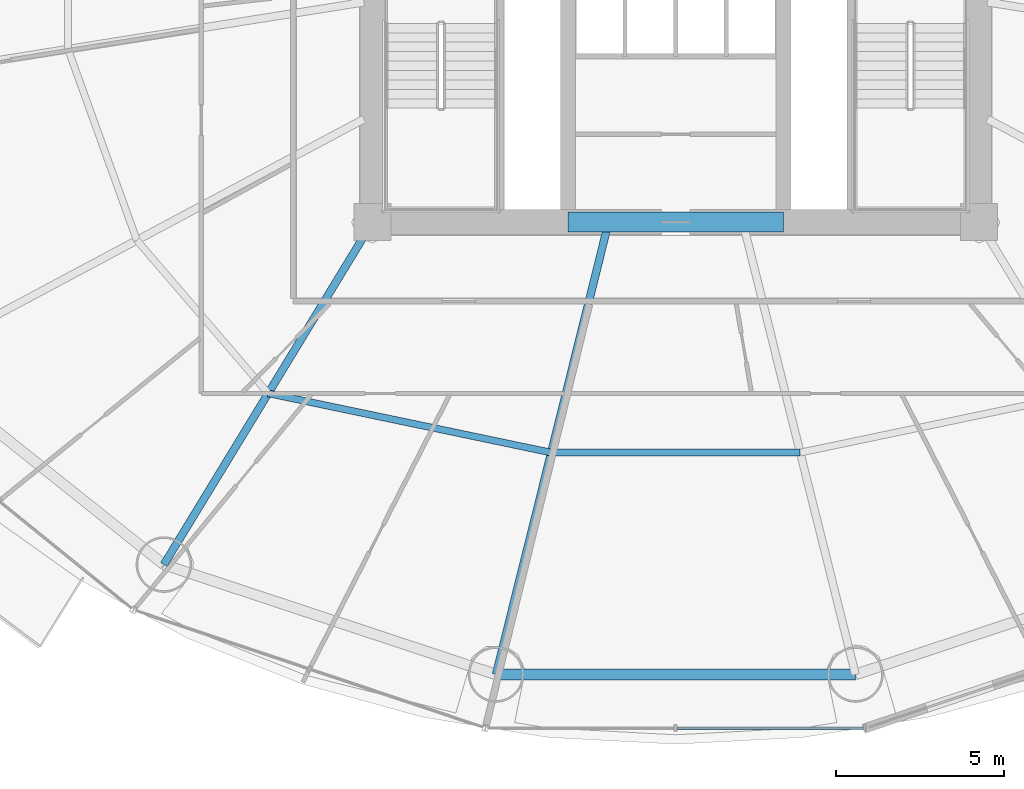
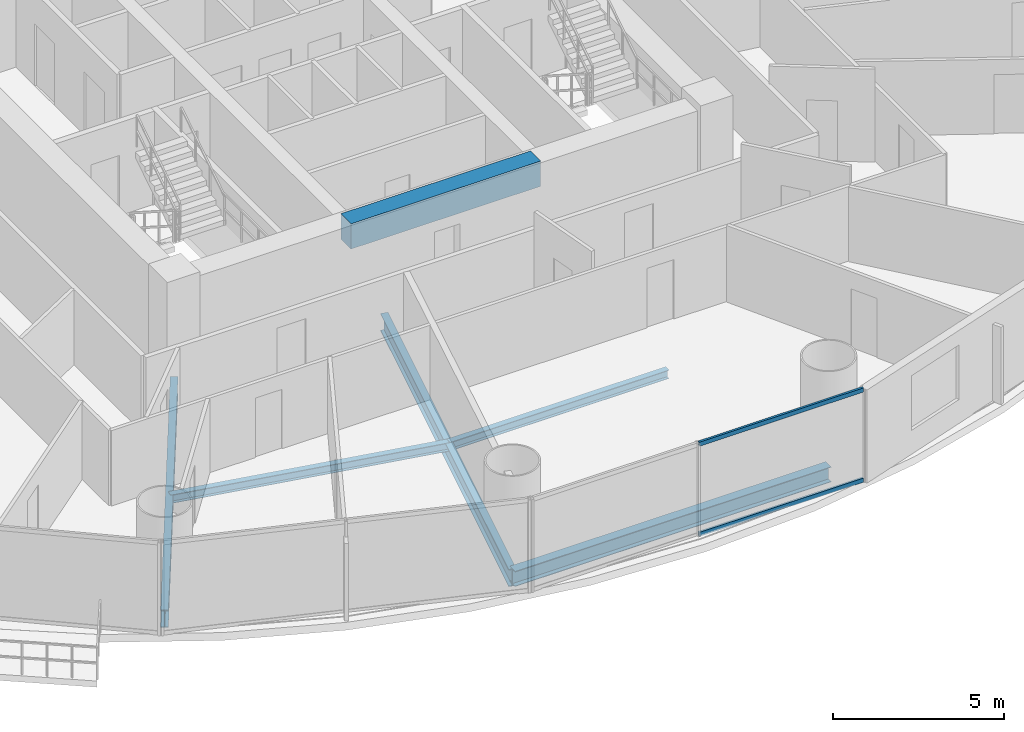
# One storey, part 5 of 30: 6 beams, 2 members, 1 element without a shape of its own.
"""IFC4 building model written with IfcOpenShell, lengths in metres."""

from ifc_helpers import new_model, si_unit, direction, frame, origin, origin_2d, place, context, subcontext, project, spatial, rectangle, hollow_rectangle, i_section, extrude, source, transform, mapped, material, material_profile, profile_set, type_object, element, aggregate, save


model = new_model("IFC4")

# Units and contexts
model_context = context("Model", 3, precision=1e-05, world=origin(), true_north=direction((-0.2419218956, 0.970295726276)))
body_context = subcontext(model_context, "Body", "Model", "MODEL_VIEW")
ifc_project = project(units=[si_unit("LENGTHUNIT", "METRE"), si_unit("AREAUNIT", "SQUARE_METRE"), si_unit("VOLUMEUNIT", "CUBIC_METRE"), si_unit("PLANEANGLEUNIT", "RADIAN"), si_unit("MASSUNIT", "GRAM", prefix="KILO")], contexts=[model_context])

# Site, building, storey
site_placement = place(None, origin())
site = spatial("IfcSite", under=ifc_project, at=site_placement, CompositionType="ELEMENT")
building_placement = place(site_placement, origin())
building = spatial("IfcBuilding", under=site, at=building_placement, Name="Cobrevalo Terracotta Tower", CompositionType="ELEMENT")
storey_placement = place(building_placement, frame((0.0, 0.0, 27.60009765625)))
storey = spatial("IfcBuildingStorey", under=building, at=storey_placement, Name="L06", CompositionType="ELEMENT", Elevation=27.60009765625)

# Beams
ifc_material_1 = material(Name="Concrete C60", Category="concrete")
ifc_material_profile_1 = material_profile(ifc_material_1, rectangle(XDim=0.60009765625, YDim=0.89990234375, at=origin_2d()), Name="RC CB 600x900")
ifc_profile_set_1 = profile_set([ifc_material_profile_1], Name="Concrete C60")
beam_type_1 = type_object("IfcBeamType", Name="Structural Beam RC CB 600x900 (Concrete C60)", PredefinedType="BEAM", material=ifc_profile_set_1)
beam_1_placement = place(storey_placement, frame((34.800048828125, 18.800048828125, 2.869873046875), z_axis=(1.0, 0.0, 0.0), x_axis=(0.0, 1.0, 0.0)))
element("IfcBeam", 1, at=beam_1_placement, inside=storey, type_object=beam_type_1, Name="L06 core coupling beam 1", PredefinedType="BEAM", context=body_context, shape_type="SweptSolid", body=[
    extrude(rectangle(XDim=0.60009765625, YDim=0.89990234375, at=origin_2d()), origin(), (0.0, 0.0, 1.0), 6.39990234375),
])
ifc_material_2 = material(Name="Steel S355", Category="steel")
ifc_material_profile_2 = material_profile(ifc_material_2, i_section(OverallWidth=0.22998046875, OverallDepth=0.616943359375, WebThickness=0.01318359375, FlangeThickness=0.022216796875, at=origin_2d()), Name="W 610x140")
ifc_profile_set_2 = profile_set([ifc_material_profile_2], Name="Steel S355")
beam_type_2 = type_object("IfcBeamType", Name="Structural Beam W 610x140 (Steel S355)", PredefinedType="BEAM", material=ifc_profile_set_2)
beam_2_placement = place(storey_placement, frame((22.80517578125, 8.63232421875, -0.588623046875), z_axis=(0.520300780853, 0.853983077961, 0.0), x_axis=(-0.853983077961, 0.520300780853, 0.0)))
element("IfcBeam", 2, at=beam_2_placement, inside=storey, type_object=beam_type_2, Name="L06 radial floor girder 11", PredefinedType="BEAM", context=body_context, shape_type="SweptSolid", body=[
    extrude(i_section(OverallWidth=0.22998046875, OverallDepth=0.616943359375, WebThickness=0.01318359375, FlangeThickness=0.022216796875, at=origin_2d()), origin(), (0.0, 0.0, 1.0), 11.90625),
])
beam_3_placement = place(storey_placement, frame((32.664306640625, 5.369873046875, -0.588623046875), z_axis=(0.241600470374, 0.970375810042, 0.0), x_axis=(-0.970375810042, 0.241600470374, 0.0)))
element("IfcBeam", 3, at=beam_3_placement, inside=storey, type_object=beam_type_2, Name="L06 radial floor girder 12", PredefinedType="BEAM", context=body_context, shape_type="SweptSolid", body=[
    extrude(i_section(OverallWidth=0.22998046875, OverallDepth=0.616943359375, WebThickness=0.01318359375, FlangeThickness=0.022216796875, at=origin_2d()), origin(), (0.0, 0.0, 1.0), 13.5771484375),
])
ifc_material_profile_3 = material_profile(ifc_material_2, i_section(OverallWidth=0.2041015625, OverallDepth=0.305908203125, WebThickness=0.008544921875, FlangeThickness=0.0146484375, at=origin_2d()), Name="W 310x67")
ifc_profile_set_3 = profile_set([ifc_material_profile_3], Name="Steel S355")
beam_type_3 = type_object("IfcBeamType", Name="Structural Joist W 310x67 (Steel S355)", PredefinedType="JOIST", material=ifc_profile_set_3)
beam_4_placement = place(storey_placement, frame((25.902587890625, 13.71630859375, -0.43310546875), z_axis=(0.978784523904, -0.204892302848, 0.0), x_axis=(0.204892302848, 0.978784523904, 0.0)))
element("IfcBeam", 4, at=beam_4_placement, inside=storey, type_object=beam_type_3, Name="L06 circumferential secondary floor joist 11", PredefinedType="JOIST", context=body_context, shape_type="SweptSolid", body=[
    extrude(i_section(OverallWidth=0.2041015625, OverallDepth=0.305908203125, WebThickness=0.008544921875, FlangeThickness=0.0146484375, at=origin_2d()), origin(), (0.0, 0.0, 1.0), 8.583984375),
])
beam_5_placement = place(storey_placement, frame((34.304443359375, 11.95751953125, -0.43310546875), z_axis=(1.0, 0.0, 0.0), x_axis=(0.0, 1.0, 0.0)))
element("IfcBeam", 5, at=beam_5_placement, inside=storey, type_object=beam_type_3, Name="L06 circumferential secondary floor joist 12", PredefinedType="JOIST", context=body_context, shape_type="SweptSolid", body=[
    extrude(i_section(OverallWidth=0.2041015625, OverallDepth=0.305908203125, WebThickness=0.008544921875, FlangeThickness=0.0146484375, at=origin_2d()), origin(), (0.0, 0.0, 1.0), 7.39111328125),
])
ifc_material_profile_4 = material_profile(ifc_material_2, i_section(OverallWidth=0.31201171875, OverallDepth=0.54296875, WebThickness=0.0126953125, FlangeThickness=0.020263671875, at=origin_2d()), Name="W 530x150")
ifc_profile_set_4 = profile_set([ifc_material_profile_4], Name="Steel S355")
beam_type_4 = type_object("IfcBeamType", Name="Structural Spandrel W 530x150 (Steel S355)", PredefinedType="SPANDREL", material=ifc_profile_set_4)
beam_6_placement = place(storey_placement, frame((32.664306640625, 5.369873046875, -0.551513671875), z_axis=(1.0, 0.0, 0.0), x_axis=(0.0, 1.0, 0.0)))
element("IfcBeam", 6, at=beam_6_placement, inside=storey, type_object=beam_type_4, Name="L06 perimeter ring spandrel 12", PredefinedType="SPANDREL", context=body_context, shape_type="SweptSolid", body=[
    extrude(i_section(OverallWidth=0.31201171875, OverallDepth=0.54296875, WebThickness=0.0126953125, FlangeThickness=0.020263671875, at=origin_2d()), origin(), (0.0, 0.0, 1.0), 10.67138671875),
])

# Curtain wall, members
ifc_material_3 = material(Name="Anodized aluminium", Category="aluminium")
curtain_wall_type = type_object("IfcCurtainWallType", Name="Lower-tower unitised acoustic low-E curtain wall CW-U1", PredefinedType="NOTDEFINED", material=ifc_material_3)
curtain_wall_placement = place(storey_placement, origin())
curtain_wall = element("IfcCurtainWall", 7, at=curtain_wall_placement, inside=storey, type_object=curtain_wall_type, Name="L06 curtain wall CW-L06-S12", PredefinedType="NOTDEFINED")
ifc_material_profile_5 = material_profile(ifc_material_3, hollow_rectangle(XDim=0.074951171875, YDim=0.14990234375, WallThickness=0.00439453125, at=origin_2d()), Name="CWT 75x150")
ifc_profile_set_5 = profile_set([ifc_material_profile_5], Name="Anodized aluminium")
member_type = type_object("IfcMemberType", Name="Tower unitised aluminium transom 75x150", PredefinedType="USERDEFINED", material=ifc_profile_set_5)
shared_shape = source(origin(), body_context, "Body", "SweptSolid", [
    extrude(hollow_rectangle(XDim=0.074951171875, YDim=0.14990234375, WallThickness=0.00439453125, at=origin_2d()), origin(), (0.0, 0.0, 1.0), 5.53173828125),
])
member_1_placement = place(storey_placement, frame((38.0400390625, 3.781005859375, 0.0498046875), z_axis=(1.0, 0.0, 0.0), x_axis=(0.0, 1.0, 0.0)))
member_1 = element("IfcMember", 8, at=member_1_placement, type_object=member_type, Name="CW-L06-S12 transom B02-T1", ObjectType="TRANSOM", PredefinedType="USERDEFINED", context=body_context, shape_type="MappedRepresentation", body=[
    mapped(shared_shape, transform((0.0, 0.0, 0.0), scale=1.0)),
])
member_2_placement = place(storey_placement, frame((38.0400390625, 3.781005859375, 3.27001953125), z_axis=(1.0, 0.0, 0.0), x_axis=(0.0, 1.0, 0.0)))
member_2 = element("IfcMember", 9, at=member_2_placement, type_object=member_type, Name="CW-L06-S12 transom B02-T2", ObjectType="TRANSOM", PredefinedType="USERDEFINED", context=body_context, shape_type="MappedRepresentation", body=[
    mapped(shared_shape, transform((0.0, 0.0, 0.0), scale=1.0)),
])
aggregate(curtain_wall, [member_1, member_2])

save(model, "model.ifc")
